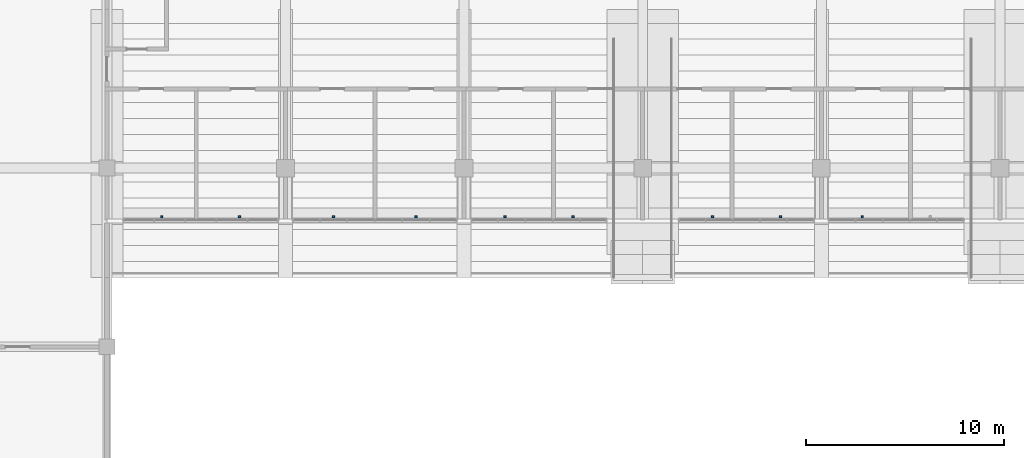
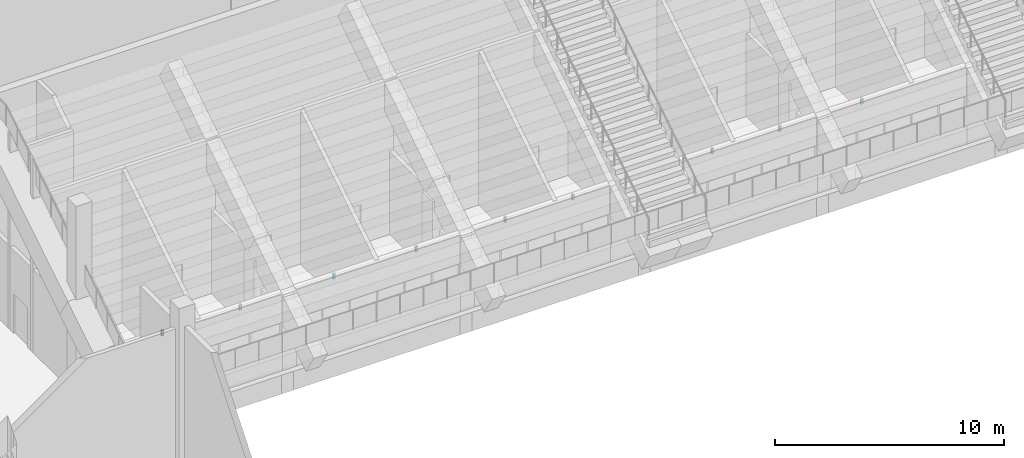
# One storey, part 116 of 182: 9 discrete accessories.
"""IFC4 building model written with IfcOpenShell, lengths in metres."""

from ifc_helpers import new_model, si_unit, direction, frame, origin, origin_2d, place, context, subcontext, project, spatial, rectangle, extrude, material, type_object, element, save


model = new_model("IFC4")

# Units and contexts
model_context = context("Model", 3, precision=1e-05, world=origin(), true_north=direction((0.0, 1.0)))
body_context = subcontext(model_context, "Body", "Model", "MODEL_VIEW")
ifc_project = project(units=[si_unit("LENGTHUNIT", "METRE"), si_unit("AREAUNIT", "SQUARE_METRE"), si_unit("VOLUMEUNIT", "CUBIC_METRE"), si_unit("PLANEANGLEUNIT", "RADIAN"), si_unit("MASSUNIT", "GRAM", prefix="KILO")], contexts=[model_context])

# Site, building, storey
site_placement = place(None, origin())
site = spatial("IfcSite", under=ifc_project, at=site_placement, CompositionType="ELEMENT")
building_placement = place(site_placement, origin())
building = spatial("IfcBuilding", under=site, at=building_placement, Name="Silverbay Arena", CompositionType="ELEMENT")
storey_placement = place(building_placement, frame((0.0, 0.0, 11.5)))
storey = spatial("IfcBuildingStorey", under=building, at=storey_placement, Name="L02", CompositionType="ELEMENT", Elevation=11.5)

# Discrete accessories
ifc_material = material(Name="Steel S355", Category="steel")
discrete_accessory_type = type_object("IfcDiscreteAccessoryType", Name="Steel bracket plate", PredefinedType="BRACKET", material=ifc_material)
for number, where, z_axis, x_axis, name in (
    (1, (101.762451171875, 114.550048828125, 3.76416015625), (0.0, 0.0, 1.0), (1.0, 0.0, 0.0), "Fascia hanger bracket"),
    (2, (105.6875, 114.550048828125, 3.76416015625), (0.0, 0.0, 1.0), (1.0, 0.0, 0.0), "Fascia hanger bracket"),
    (3, (110.425048828125, 114.550048828125, 3.76416015625), (0.0, 0.0, 1.0), (1.0, 0.0, 0.0), "Fascia hanger bracket"),
    (4, (114.574951171875, 114.550048828125, 3.76416015625), (0.0, 0.0, 1.0), (1.0, 0.0, 0.0), "Fascia hanger bracket"),
    (5, (119.0625, 114.550048828125, 3.76416015625), (0.0, 0.0, 1.0), (1.0, 0.0, 0.0), "Fascia hanger bracket"),
    (6, (122.487548828125, 114.550048828125, 3.76416015625), (0.0, 0.0, 1.0), (1.0, 0.0, 0.0), "Fascia hanger bracket"),
    (7, (129.512451171875, 114.550048828125, 3.76416015625), (0.0, 0.0, 1.0), (1.0, 0.0, 0.0), "Fascia hanger bracket"),
    (8, (132.9375, 114.550048828125, 3.76416015625), (0.0, 0.0, 1.0), (1.0, 0.0, 0.0), "Fascia hanger bracket"),
    (9, (137.0625, 114.550048828125, 3.76416015625), (0.0, 0.0, 1.0), (1.0, 0.0, 0.0), "Fascia hanger bracket"),
):
    element("IfcDiscreteAccessory", number, at=place(storey_placement, frame(where, z_axis=z_axis, x_axis=x_axis)), inside=storey, type_object=discrete_accessory_type, Name=name, PredefinedType="BRACKET", context=body_context, shape_type="SweptSolid", body=[
        extrude(rectangle(XDim=0.1201171875, YDim=0.10009765625, at=origin_2d()), origin(), (0.0, 0.0, 1.0), 0.300048828125),
    ])

save(model, "model.ifc")
